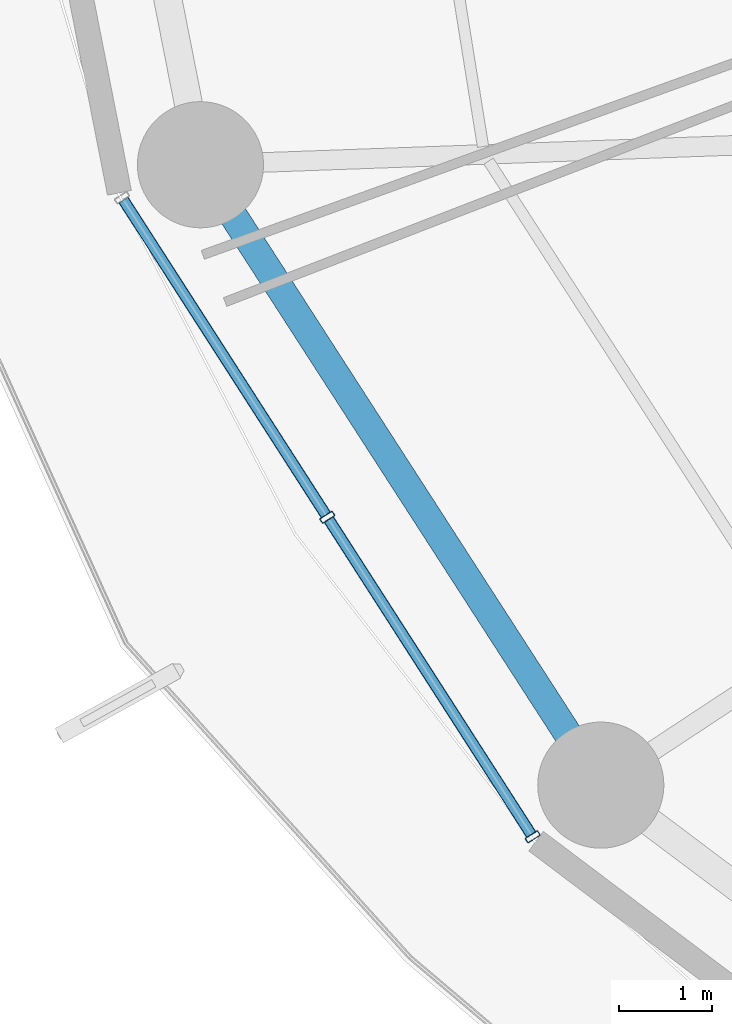
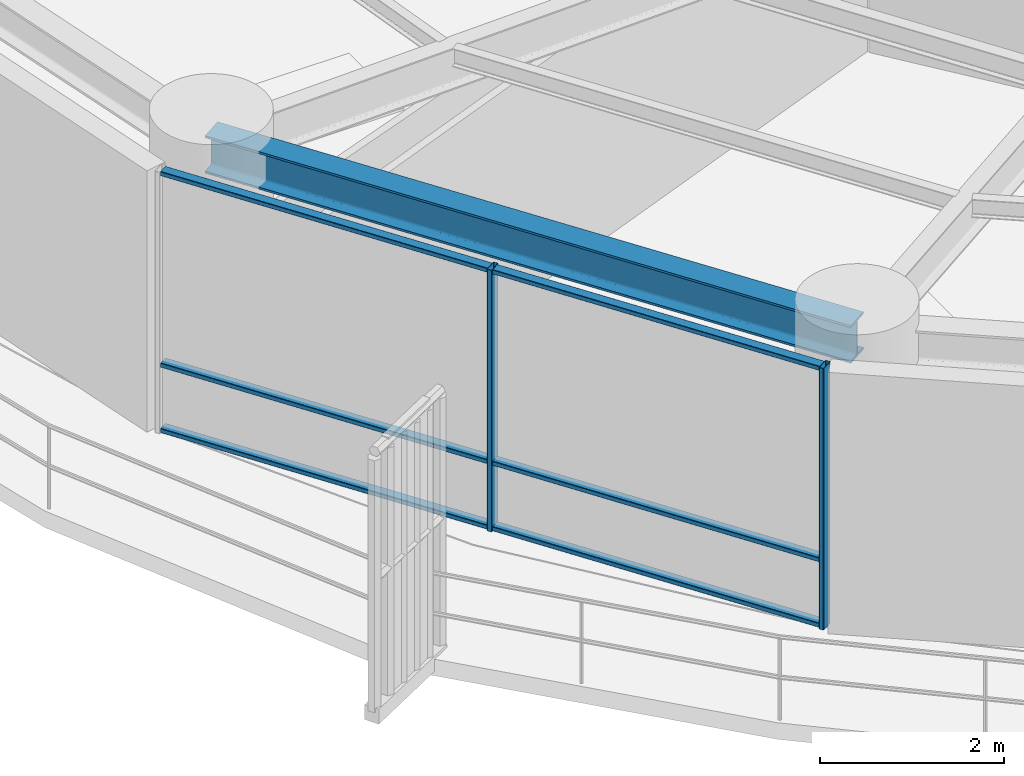
# One storey, part 2 of 33: 8 members, 1 beam, 1 element without a shape of its own.
"""IFC4 building model written with IfcOpenShell, lengths in metres."""

from ifc_helpers import new_model, si_unit, direction, frame, origin, origin_2d, place, context, subcontext, project, spatial, hollow_rectangle, i_section, extrude, material, layer, layer_set, material_profile, profile_set, type_object, element, aggregate, save


model = new_model("IFC4")

# Units and contexts
model_context = context("Model", 3, precision=1e-05, world=origin(), true_north=direction((0.0, 1.0)))
body_context = subcontext(model_context, "Body", "Model", "MODEL_VIEW")
ifc_project = project(units=[si_unit("LENGTHUNIT", "METRE"), si_unit("AREAUNIT", "SQUARE_METRE"), si_unit("VOLUMEUNIT", "CUBIC_METRE"), si_unit("PLANEANGLEUNIT", "RADIAN"), si_unit("MASSUNIT", "GRAM", prefix="KILO")], contexts=[model_context])

# Site, building, storey
site_placement = place(None, origin())
site = spatial("IfcSite", under=ifc_project, at=site_placement, CompositionType="ELEMENT")
building_placement = place(site_placement, origin())
building = spatial("IfcBuilding", under=site, at=building_placement, Name="Kelanora Arch Commons", CompositionType="ELEMENT")
storey_placement = place(building_placement, frame((0.0, 0.0, 80.10009765625)))
storey = spatial("IfcBuildingStorey", under=building, at=storey_placement, Name="L20", CompositionType="ELEMENT", Elevation=80.10009765625)

# Beam
ifc_material_1 = material(Name="Steel S355", Category="steel")
ifc_material_profile_1 = material_profile(ifc_material_1, i_section(OverallWidth=0.300048828125, OverallDepth=0.5, WebThickness=0.014404296875, FlangeThickness=0.028076171875, FilletRadius=0.027099609375, at=origin_2d()), Name="HEB500")
ifc_profile_set_1 = profile_set([ifc_material_profile_1], Name="Steel S355")
beam_type = type_object("IfcBeamType", Name="BM-SPN-Z2", PredefinedType="SPANDREL", material=ifc_profile_set_1)
beam_placement = place(storey_placement, frame((50.808349609375, 50.4482421875, 3.239990234375), z_axis=(0.542221144054, -0.840235818649, 0.0), x_axis=(0.840235818649, 0.542221144054, 0.0)))
element("IfcBeam", 1, at=beam_placement, inside=storey, type_object=beam_type, Name="Perimeter Spandrel Beam BS-20 L20", PredefinedType="SPANDREL", context=body_context, shape_type="SweptSolid", body=[
    extrude(i_section(OverallWidth=0.300048828125, OverallDepth=0.5, WebThickness=0.014404296875, FlangeThickness=0.028076171875, FilletRadius=0.027099609375, at=origin_2d()), origin(), (0.0, 0.0, 1.0), 7.90380859375),
])

# Curtain wall, members
ifc_material_2 = material(Name="Terracotta ceramic-fritted low-E glass and aluminium", Category="masonry")
ifc_layer = layer(ifc_material_2, 0.159912109375)
ifc_layer_set = layer_set([ifc_layer], Name="Terracotta ceramic-fritted low-E glass and aluminium")
curtain_wall_type = type_object("IfcCurtainWallType", Name="CW-SYS-01", PredefinedType="NOTDEFINED", material=ifc_layer_set)
curtain_wall_placement = place(storey_placement, origin())
curtain_wall = element("IfcCurtainWall", 2, at=curtain_wall_placement, inside=storey, type_object=curtain_wall_type, Name="Unitised Curtain Wall L20-B10", PredefinedType="NOTDEFINED")
ifc_material_3 = material(Name="Powder-coated aluminium terracotta", Category="masonry")
ifc_material_profile_2 = material_profile(ifc_material_3, hollow_rectangle(XDim=0.159912109375, YDim=0.06005859375, WallThickness=0.0048828125, InnerFilletRadius=0.0048828125, OuterFilletRadius=0.010009765625, at=origin_2d()), Name="CWM160x60")
ifc_profile_set_2 = profile_set([ifc_material_profile_2], Name="Powder-coated aluminium terracotta")
member_type_1 = type_object("IfcMemberType", Name="CWM-STD", PredefinedType="MULLION", material=ifc_profile_set_2)
member_1_placement = place(storey_placement, frame((52.16650390625, 46.6748046875, 0.0), z_axis=(0.0, 0.0, 1.0), x_axis=(0.841268883088, 0.540616931244, 0.0)))
member_1 = element("IfcMember", 3, at=member_1_placement, type_object=member_type_1, Name="CW-01 mullion 2", PredefinedType="MULLION", context=body_context, shape_type="SweptSolid", body=[
    extrude(hollow_rectangle(XDim=0.159912109375, YDim=0.06005859375, WallThickness=0.0048828125, InnerFilletRadius=0.0048828125, OuterFilletRadius=0.010009765625, at=origin_2d()), origin(), (0.0, 0.0, 1.0), 3.474853515625),
])
member_2_placement = place(storey_placement, frame((54.364990234375, 43.253662109375, 0.0), z_axis=(0.0, 0.0, 1.0), x_axis=(0.841268883088, 0.540616931244, 0.0)))
member_2 = element("IfcMember", 4, at=member_2_placement, type_object=member_type_1, Name="CW-01 mullion 3", PredefinedType="MULLION", context=body_context, shape_type="SweptSolid", body=[
    extrude(hollow_rectangle(XDim=0.159912109375, YDim=0.06005859375, WallThickness=0.0048828125, InnerFilletRadius=0.0048828125, OuterFilletRadius=0.010009765625, at=origin_2d()), origin(), (0.0, 0.0, 1.0), 3.474853515625),
])
ifc_material_profile_3 = material_profile(ifc_material_3, hollow_rectangle(XDim=0.1201171875, YDim=0.06005859375, WallThickness=0.0048828125, InnerFilletRadius=0.0048828125, OuterFilletRadius=0.010009765625, at=origin_2d()), Name="CWT120x60")
ifc_profile_set_3 = profile_set([ifc_material_profile_3], Name="Powder-coated aluminium terracotta")
member_type_2 = type_object("IfcMemberType", Name="CWT-STD", PredefinedType="USERDEFINED", material=ifc_profile_set_3)
member_3_placement = place(storey_placement, frame((49.984375, 50.0703125, 0.02978515625), z_axis=(0.540643629734, -0.841251725483, 0.0), x_axis=(0.841251725483, 0.540643629734, 0.0)))
member_3 = element("IfcMember", 5, at=member_3_placement, type_object=member_type_2, Name="CW-01 transom 1.1", ObjectType="TRANSOM", PredefinedType="USERDEFINED", context=body_context, shape_type="SweptSolid", body=[
    extrude(hollow_rectangle(XDim=0.1201171875, YDim=0.06005859375, WallThickness=0.0048828125, InnerFilletRadius=0.0048828125, OuterFilletRadius=0.010009765625, at=origin_2d()), origin(), (0.0, 0.0, 1.0), 4.00634765625),
])
member_4_placement = place(storey_placement, frame((49.984375, 50.0703125, 0.89990234375), z_axis=(0.540643629734, -0.841251725483, 0.0), x_axis=(0.841251725483, 0.540643629734, 0.0)))
member_4 = element("IfcMember", 6, at=member_4_placement, type_object=member_type_2, Name="CW-01 transom 1.2", ObjectType="TRANSOM", PredefinedType="USERDEFINED", context=body_context, shape_type="SweptSolid", body=[
    extrude(hollow_rectangle(XDim=0.1201171875, YDim=0.06005859375, WallThickness=0.0048828125, InnerFilletRadius=0.0048828125, OuterFilletRadius=0.010009765625, at=origin_2d()), origin(), (0.0, 0.0, 1.0), 4.00634765625),
])
member_5_placement = place(storey_placement, frame((49.984375, 50.0703125, 3.44482421875), z_axis=(0.540643629734, -0.841251725483, 0.0), x_axis=(0.841251725483, 0.540643629734, 0.0)))
member_5 = element("IfcMember", 7, at=member_5_placement, type_object=member_type_2, Name="CW-01 transom 1.3", ObjectType="TRANSOM", PredefinedType="USERDEFINED", context=body_context, shape_type="SweptSolid", body=[
    extrude(hollow_rectangle(XDim=0.1201171875, YDim=0.06005859375, WallThickness=0.0048828125, InnerFilletRadius=0.0048828125, OuterFilletRadius=0.010009765625, at=origin_2d()), origin(), (0.0, 0.0, 1.0), 4.00634765625),
])
member_6_placement = place(storey_placement, frame((52.182861328125, 46.6494140625, 0.02978515625), z_axis=(0.540643629734, -0.841251725483, 0.0), x_axis=(0.841251725483, 0.540643629734, 0.0)))
member_6 = element("IfcMember", 8, at=member_6_placement, type_object=member_type_2, Name="CW-01 transom 2.1", ObjectType="TRANSOM", PredefinedType="USERDEFINED", context=body_context, shape_type="SweptSolid", body=[
    extrude(hollow_rectangle(XDim=0.1201171875, YDim=0.06005859375, WallThickness=0.0048828125, InnerFilletRadius=0.0048828125, OuterFilletRadius=0.010009765625, at=origin_2d()), origin(), (0.0, 0.0, 1.0), 4.00634765625),
])
member_7_placement = place(storey_placement, frame((52.182861328125, 46.6494140625, 0.89990234375), z_axis=(0.540643629734, -0.841251725483, 0.0), x_axis=(0.841251725483, 0.540643629734, 0.0)))
member_7 = element("IfcMember", 9, at=member_7_placement, type_object=member_type_2, Name="CW-01 transom 2.2", ObjectType="TRANSOM", PredefinedType="USERDEFINED", context=body_context, shape_type="SweptSolid", body=[
    extrude(hollow_rectangle(XDim=0.1201171875, YDim=0.06005859375, WallThickness=0.0048828125, InnerFilletRadius=0.0048828125, OuterFilletRadius=0.010009765625, at=origin_2d()), origin(), (0.0, 0.0, 1.0), 4.00634765625),
])
member_8_placement = place(storey_placement, frame((52.182861328125, 46.6494140625, 3.44482421875), z_axis=(0.540643629734, -0.841251725483, 0.0), x_axis=(0.841251725483, 0.540643629734, 0.0)))
member_8 = element("IfcMember", 10, at=member_8_placement, type_object=member_type_2, Name="CW-01 transom 2.3", ObjectType="TRANSOM", PredefinedType="USERDEFINED", context=body_context, shape_type="SweptSolid", body=[
    extrude(hollow_rectangle(XDim=0.1201171875, YDim=0.06005859375, WallThickness=0.0048828125, InnerFilletRadius=0.0048828125, OuterFilletRadius=0.010009765625, at=origin_2d()), origin(), (0.0, 0.0, 1.0), 4.00634765625),
])
aggregate(curtain_wall, [member_1, member_2, member_3, member_4, member_5, member_6, member_7, member_8])

save(model, "model.ifc")
